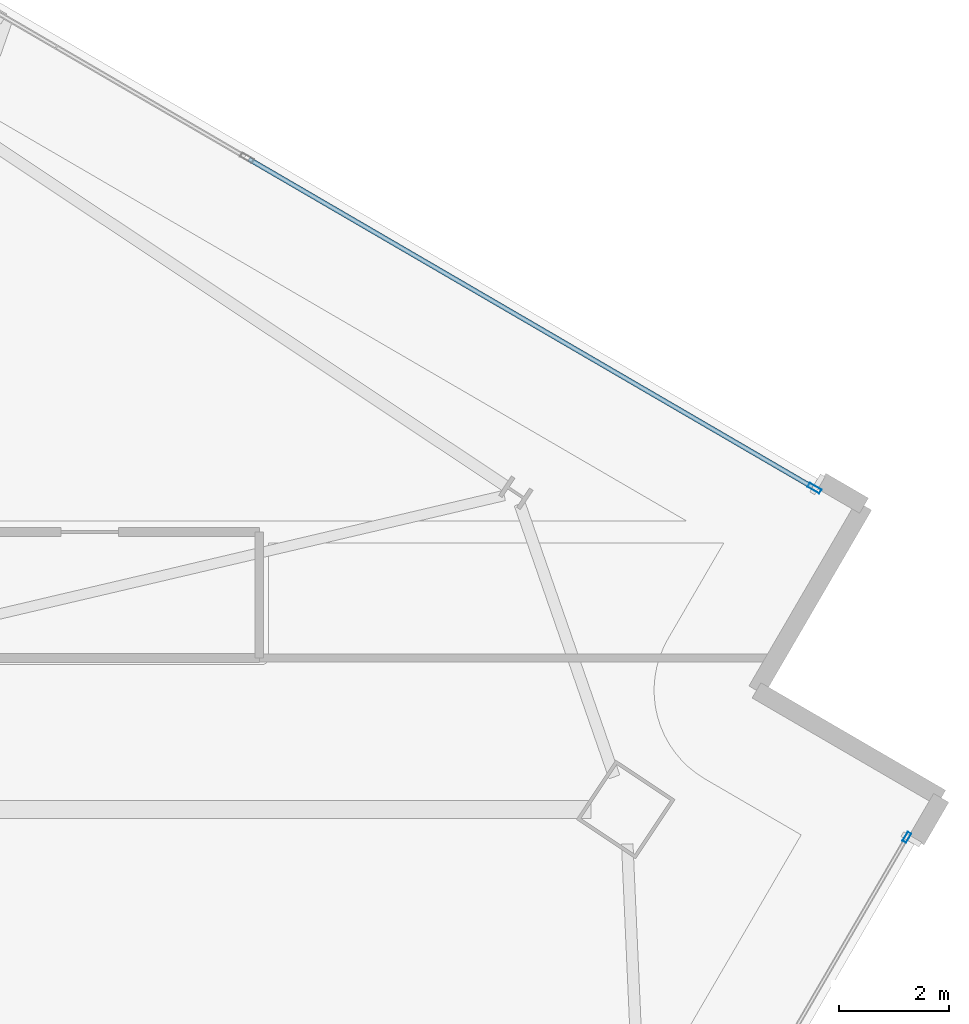
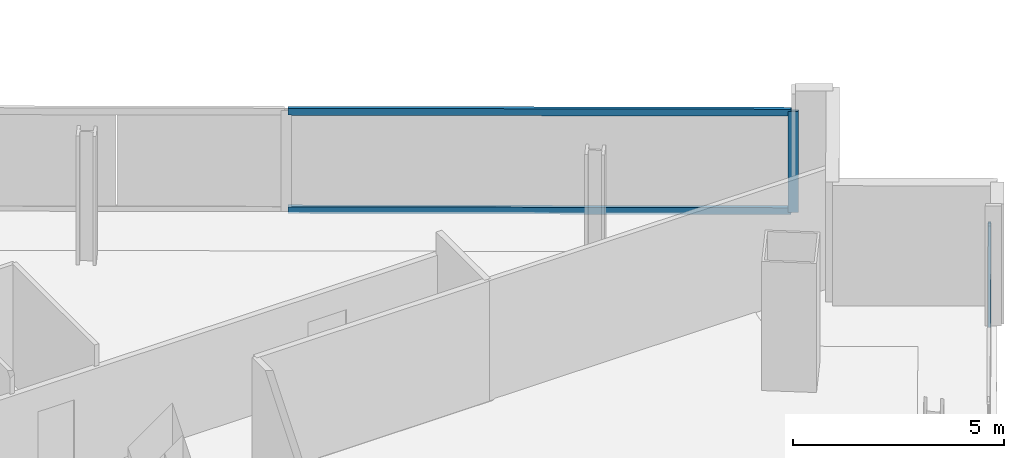
# One storey, part 18 of 29: 4 members, 2 elements without a shape of their own.
"""IFC4 building model written with IfcOpenShell, lengths in metres."""

from ifc_helpers import new_model, si_unit, direction, frame, origin, origin_2d, place, context, subcontext, project, spatial, hollow_rectangle, extrude, material, material_profile, profile_set, type_object, element, aggregate, save


model = new_model("IFC4")

# Units and contexts
model_context = context("Model", 3, precision=1e-05, world=origin(), true_north=direction((0.0, 1.0)))
body_context = subcontext(model_context, "Body", "Model", "MODEL_VIEW")
ifc_project = project(units=[si_unit("LENGTHUNIT", "METRE"), si_unit("AREAUNIT", "SQUARE_METRE"), si_unit("VOLUMEUNIT", "CUBIC_METRE"), si_unit("PLANEANGLEUNIT", "RADIAN"), si_unit("MASSUNIT", "GRAM", prefix="KILO")], contexts=[model_context])

# Site, building, storey
site_placement = place(None, origin())
site = spatial("IfcSite", under=ifc_project, at=site_placement, CompositionType="ELEMENT")
building_placement = place(site_placement, origin())
building = spatial("IfcBuilding", under=site, at=building_placement, Name="Haldenkirk Collegiate Tower", CompositionType="ELEMENT")
storey_placement = place(building_placement, frame((0.0, 0.0, 228.449951171875)))
storey = spatial("IfcBuildingStorey", under=building, at=storey_placement, Name="L57", CompositionType="ELEMENT", Elevation=228.449951171875)

# Curtain wall, member
ifc_material = material(Name="Anodised architectural bronze aluminium", Category="aluminium")
curtain_wall_type_1 = type_object("IfcCurtainWallType", Name="CW-SYS2-CONCAVE", PredefinedType="USERDEFINED", material=ifc_material)
curtain_wall_1_placement = place(storey_placement, origin())
curtain_wall_1 = element("IfcCurtainWall", 1, at=curtain_wall_1_placement, inside=storey, type_object=curtain_wall_type_1, Name="L57 South concave recessed bronze-anodised curtain wall", ObjectType="UNITISED CURTAIN WALL", PredefinedType="USERDEFINED")
ifc_material_profile_1 = material_profile(ifc_material, hollow_rectangle(XDim=0.074951171875, YDim=0.18994140625, WallThickness=0.0048828125, at=origin_2d()), Name="CW-MUL-02")
ifc_profile_set_1 = profile_set([ifc_material_profile_1], Name="Anodised architectural bronze aluminium")
member_type_1 = type_object("IfcMemberType", Name="CW-MUL-02", PredefinedType="MULLION", material=ifc_profile_set_1)
member_1_placement = place(storey_placement, frame((65.61767578125, 30.8759765625, 0.0), z_axis=(0.0, 0.0, 1.0), x_axis=(0.864275549506, -0.503018662205, 0.0)))
member_1 = element("IfcMember", 2, at=member_1_placement, type_object=member_type_1, Name="CW-02 mullion 1", PredefinedType="MULLION", context=body_context, shape_type="SweptSolid", body=[
    extrude(hollow_rectangle(XDim=0.074951171875, YDim=0.18994140625, WallThickness=0.0048828125, at=origin_2d()), origin(), (0.0, 0.0, 1.0), 2.927978515625),
])
aggregate(curtain_wall_1, [member_1])

# Curtain wall, members
curtain_wall_type_2 = type_object("IfcCurtainWallType", Name="CW-SYS1B-CONVEX-HI", PredefinedType="USERDEFINED", material=ifc_material)
curtain_wall_2_placement = place(storey_placement, origin())
curtain_wall_2 = element("IfcCurtainWall", 3, at=curtain_wall_2_placement, inside=storey, type_object=curtain_wall_type_2, Name="L57 Upper tower high-wind convex bronze unitised curtain wall", ObjectType="UNITISED CURTAIN WALL", PredefinedType="USERDEFINED")
ifc_material_profile_2 = material_profile(ifc_material, hollow_rectangle(XDim=0.0849609375, YDim=0.25, WallThickness=0.0048828125, at=origin_2d()), Name="CW-MUL-1B")
ifc_profile_set_2 = profile_set([ifc_material_profile_2], Name="Anodised architectural bronze aluminium")
member_type_2 = type_object("IfcMemberType", Name="CW-MUL-1B", PredefinedType="MULLION", material=ifc_profile_set_2)
member_2_placement = place(storey_placement, frame((63.930908203125, 37.24658203125, 0.0), z_axis=(0.0, 0.0, 1.0), x_axis=(0.503020051603, 0.864274740858, 0.0)))
member_2 = element("IfcMember", 4, at=member_2_placement, type_object=member_type_2, Name="CW-1B mullion 4", PredefinedType="MULLION", context=body_context, shape_type="SweptSolid", body=[
    extrude(hollow_rectangle(XDim=0.0849609375, YDim=0.25, WallThickness=0.0048828125, at=origin_2d()), origin(), (0.0, 0.0, 1.0), 2.927978515625),
])
ifc_material_profile_3 = material_profile(ifc_material, hollow_rectangle(XDim=0.0849609375, YDim=0.199951171875, WallThickness=0.0048828125, at=origin_2d()), Name="CW-TRN-1B")
ifc_profile_set_3 = profile_set([ifc_material_profile_3], Name="Anodised architectural bronze aluminium")
member_type_3 = type_object("IfcMemberType", Name="CW-TRN-1B", PredefinedType="USERDEFINED", material=ifc_profile_set_3)
member_3_placement = place(storey_placement, frame((53.611328125, 43.252685546875, 0.04248046875), z_axis=(0.864277133636, -0.503015940378, 0.0), x_axis=(0.503015940378, 0.864277133636, 0.0)))
member_3 = element("IfcMember", 5, at=member_3_placement, type_object=member_type_3, Name="CW-1B transom 3.1", ObjectType="TRANSOM", PredefinedType="USERDEFINED", context=body_context, shape_type="SweptSolid", body=[
    extrude(hollow_rectangle(XDim=0.0849609375, YDim=0.199951171875, WallThickness=0.0048828125, at=origin_2d()), origin(), (0.0, 0.0, 1.0), 11.8974609375),
])
member_4_placement = place(storey_placement, frame((53.611328125, 43.252685546875, 2.885498046875), z_axis=(0.864277133636, -0.503015940378, 0.0), x_axis=(0.503015940378, 0.864277133636, 0.0)))
member_4 = element("IfcMember", 6, at=member_4_placement, type_object=member_type_3, Name="CW-1B transom 3.2", ObjectType="TRANSOM", PredefinedType="USERDEFINED", context=body_context, shape_type="SweptSolid", body=[
    extrude(hollow_rectangle(XDim=0.0849609375, YDim=0.199951171875, WallThickness=0.0048828125, at=origin_2d()), origin(), (0.0, 0.0, 1.0), 11.8974609375),
])
aggregate(curtain_wall_2, [member_2, member_3, member_4])

save(model, "model.ifc")
